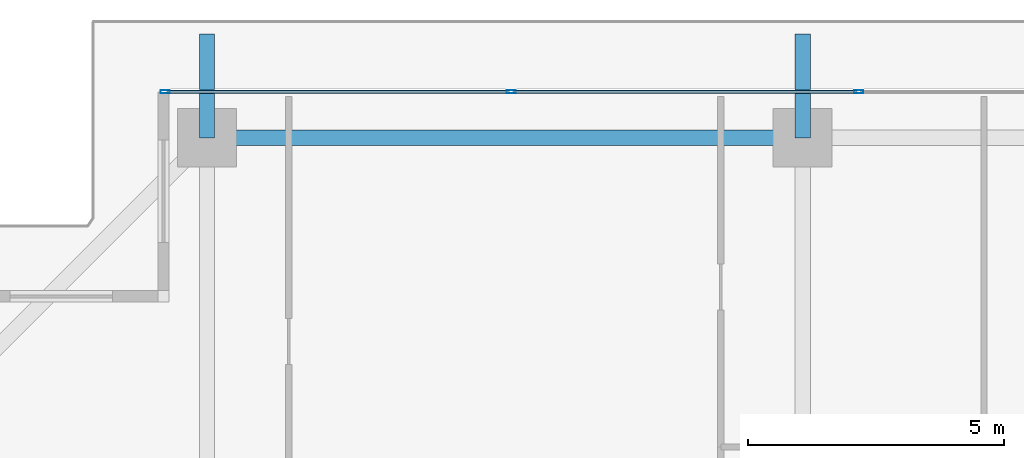
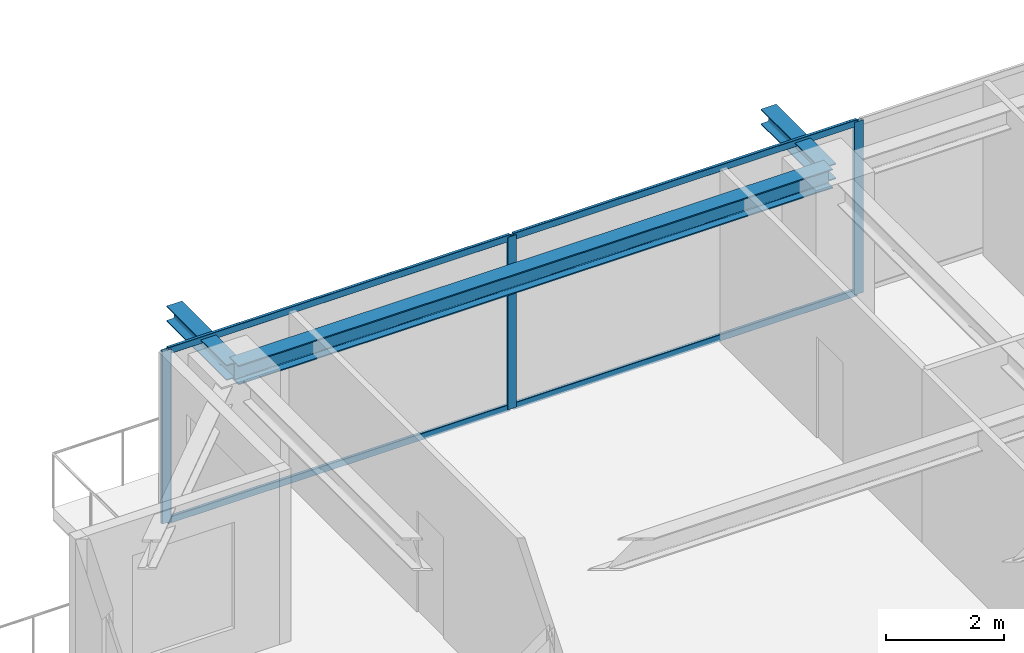
# One storey, part 19 of 36: 7 members, 3 beams, 1 element without a shape of its own.
"""IFC4 building model written with IfcOpenShell, lengths in metres."""

from ifc_helpers import new_model, si_unit, direction, frame, origin, origin_2d, place, context, subcontext, project, spatial, hollow_rectangle, i_section, extrude, source, transform, mapped, material, layer, layer_set, material_profile, profile_set, type_object, element, aggregate, save


model = new_model("IFC4")

# Units and contexts
model_context = context("Model", 3, precision=1e-05, world=origin(), true_north=direction((0.0, 1.0)))
body_context = subcontext(model_context, "Body", "Model", "MODEL_VIEW")
ifc_project = project(units=[si_unit("LENGTHUNIT", "METRE"), si_unit("AREAUNIT", "SQUARE_METRE"), si_unit("VOLUMEUNIT", "CUBIC_METRE"), si_unit("PLANEANGLEUNIT", "RADIAN"), si_unit("MASSUNIT", "GRAM", prefix="KILO")], contexts=[model_context])

# Site, building, storey
site_placement = place(None, origin())
site = spatial("IfcSite", under=ifc_project, at=site_placement, CompositionType="ELEMENT")
building_placement = place(site_placement, origin())
building = spatial("IfcBuilding", under=site, at=building_placement, Name="Serunith Strait Residences", CompositionType="ELEMENT")
storey_placement = place(building_placement, frame((0.0, 0.0, 225.85009765625)))
storey = spatial("IfcBuildingStorey", under=building, at=storey_placement, Name="L56", CompositionType="ELEMENT", Elevation=225.85009765625)

# Beams
ifc_material_1 = material(Name="Steel S355J2", Category="steel")
ifc_material_profile_1 = material_profile(ifc_material_1, i_section(OverallWidth=0.300048828125, OverallDepth=0.39990234375, WebThickness=0.013427734375, FlangeThickness=0.02392578125, FilletRadius=0.027099609375, at=origin_2d()), Name="HEB 400")
ifc_profile_set_1 = profile_set([ifc_material_profile_1], Name="Steel S355J2")
beam_type_1 = type_object("IfcBeamType", Name="BM-HEB400", PredefinedType="BEAM", material=ifc_profile_set_1)
shared_shape_1 = source(origin(), body_context, "Body", "SweptSolid", [
    extrude(i_section(OverallWidth=0.300048828125, OverallDepth=0.39990234375, WebThickness=0.013427734375, FlangeThickness=0.02392578125, FilletRadius=0.027099609375, at=origin_2d()), origin(), (0.0, 0.0, 1.0), 11.64990234375),
])
beam_placement = place(storey_placement, frame((27.89990234375, 48.300048828125, 3.386962890625), z_axis=(-1.0, 0.0, 0.0), x_axis=(0.0, -1.0, 0.0)))
element("IfcBeam", 1, at=beam_placement, inside=storey, type_object=beam_type_1, Name="L56 Perimeter Ring Beam 11", PredefinedType="BEAM", context=body_context, shape_type="MappedRepresentation", body=[
    mapped(shared_shape_1, transform((0.0, 0.0, 0.0), scale=1.0)),
])
ifc_material_profile_2 = material_profile(ifc_material_1, i_section(OverallWidth=0.300048828125, OverallDepth=0.320068359375, WebThickness=0.011474609375, FlangeThickness=0.0205078125, FilletRadius=0.027099609375, at=origin_2d()), Name="HEB 320")
ifc_profile_set_2 = profile_set([ifc_material_profile_2], Name="Steel S355J2")
beam_type_2 = type_object("IfcBeamType", Name="BM-HEB320", PredefinedType="BEAM", material=ifc_profile_set_2)
shared_shape_2 = source(origin(), body_context, "Body", "SweptSolid", [
    extrude(i_section(OverallWidth=0.300048828125, OverallDepth=0.320068359375, WebThickness=0.011474609375, FlangeThickness=0.0205078125, FilletRadius=0.027099609375, at=origin_2d()), origin(), (0.0, 0.0, 1.0), 2.030029296875),
])
for number, where, z_axis, x_axis, name in (
    (2, (16.25, 48.300048828125, 3.39697265625), (0.0, 1.0, 0.0), (-1.0, 0.0, 0.0), "L57 Cantilevered Balcony Rib TC-N1"),
    (3, (27.89990234375, 48.300048828125, 3.39697265625), (0.0, 1.0, 0.0), (-1.0, 0.0, 0.0), "L57 Cantilevered Balcony Rib TC-N2"),
):
    element("IfcBeam", number, at=place(storey_placement, frame(where, z_axis=z_axis, x_axis=x_axis)), inside=storey, type_object=beam_type_2, Name=name, PredefinedType="BEAM", context=body_context, shape_type="MappedRepresentation", body=[
        mapped(shared_shape_2, transform((0.0, 0.0, 0.0), scale=1.0)),
    ])

# Curtain wall, members
ifc_material_2 = material(Name="Pale-Champagne Anodised Aluminium", Category="aluminium")
ifc_layer = layer(ifc_material_2, 0.199951171875, Name="Pale-Champagne Anodised Aluminium")
ifc_layer_set = layer_set([ifc_layer], Name="Pale-Champagne Anodised Aluminium")
curtain_wall_type = type_object("IfcCurtainWallType", Name="CW-SYS4", PredefinedType="NOTDEFINED", material=ifc_layer_set)
curtain_wall_placement = place(storey_placement, origin())
curtain_wall = element("IfcCurtainWall", 4, at=curtain_wall_placement, inside=storey, type_object=curtain_wall_type, Name="L56 N Unitised Fritted Curtain Wall", PredefinedType="NOTDEFINED")
ifc_material_profile_3 = material_profile(ifc_material_2, hollow_rectangle(XDim=0.06494140625, YDim=0.179931640625, WallThickness=0.00341796875, InnerFilletRadius=0.00537109375, OuterFilletRadius=0.0087890625, at=origin_2d()), Name="ALU 180x65x3.5")
ifc_profile_set_3 = profile_set([ifc_material_profile_3], Name="Pale-Champagne Anodised Aluminium")
member_type_1 = type_object("IfcMemberType", Name="CW-SYS4-MULL", PredefinedType="MULLION", material=ifc_profile_set_3)
shared_shape_3 = source(origin(), body_context, "Body", "SweptSolid", [
    extrude(hollow_rectangle(XDim=0.06494140625, YDim=0.179931640625, WallThickness=0.00341796875, InnerFilletRadius=0.00537109375, OuterFilletRadius=0.0087890625, at=origin_2d()), origin(), (0.0, 0.0, 1.0), 3.574951171875),
])
member_1_placement = place(storey_placement, frame((29.0, 49.199951171875, 0.0), z_axis=(0.0, 0.0, 1.0), x_axis=(0.0, -1.0, 0.0)))
member_1 = element("IfcMember", 5, at=member_1_placement, type_object=member_type_1, Name="CW-4 mullion 4", PredefinedType="MULLION", context=body_context, shape_type="MappedRepresentation", body=[
    mapped(shared_shape_3, transform((0.0, 0.0, 0.0), scale=1.0)),
])
member_2_placement = place(storey_placement, frame((22.199951171875, 49.199951171875, 0.0), z_axis=(0.0, 0.0, 1.0), x_axis=(0.0, -1.0, 0.0)))
member_2 = element("IfcMember", 6, at=member_2_placement, type_object=member_type_1, Name="CW-4 mullion 5", PredefinedType="MULLION", context=body_context, shape_type="MappedRepresentation", body=[
    mapped(shared_shape_3, transform((0.0, 0.0, 0.0), scale=1.0)),
])
member_3_placement = place(storey_placement, frame((15.4326171875, 49.199951171875, 0.0), z_axis=(0.0, 0.0, 1.0), x_axis=(0.0, -1.0, 0.0)))
member_3 = element("IfcMember", 7, at=member_3_placement, type_object=member_type_1, Name="CW-4 mullion 6", PredefinedType="MULLION", context=body_context, shape_type="MappedRepresentation", body=[
    mapped(shared_shape_3, transform((0.0, 0.0, 0.0), scale=1.0)),
])
ifc_material_profile_4 = material_profile(ifc_material_2, hollow_rectangle(XDim=0.06005859375, YDim=0.139892578125, WallThickness=0.00341796875, InnerFilletRadius=0.00537109375, OuterFilletRadius=0.0087890625, at=origin_2d()), Name="ALU 140x60x3.5")
ifc_profile_set_4 = profile_set([ifc_material_profile_4], Name="Pale-Champagne Anodised Aluminium")
member_type_2 = type_object("IfcMemberType", Name="CW-SYS4-TRAN", PredefinedType="USERDEFINED", material=ifc_profile_set_4)
shared_shape_4 = source(origin(), body_context, "Body", "SweptSolid", [
    extrude(hollow_rectangle(XDim=0.06005859375, YDim=0.139892578125, WallThickness=0.00341796875, InnerFilletRadius=0.00537109375, OuterFilletRadius=0.0087890625, at=origin_2d()), origin(), (0.0, 0.0, 1.0), 6.702392578125),
])
member_4_placement = place(storey_placement, frame((22.16748046875, 49.199951171875, 0.02978515625), z_axis=(-1.0, 0.0, 0.0), x_axis=(0.0, -1.0, 0.0)))
member_4 = element("IfcMember", 8, at=member_4_placement, type_object=member_type_2, Name="CW-4 transom 5.1", ObjectType="TRANSOM", PredefinedType="USERDEFINED", context=body_context, shape_type="MappedRepresentation", body=[
    mapped(shared_shape_4, transform((0.0, 0.0, 0.0), scale=1.0)),
])
member_5_placement = place(storey_placement, frame((22.16748046875, 49.199951171875, 3.544921875), z_axis=(-1.0, 0.0, 0.0), x_axis=(0.0, -1.0, 0.0)))
member_5 = element("IfcMember", 9, at=member_5_placement, type_object=member_type_2, Name="CW-4 transom 5.2", ObjectType="TRANSOM", PredefinedType="USERDEFINED", context=body_context, shape_type="MappedRepresentation", body=[
    mapped(shared_shape_4, transform((0.0, 0.0, 0.0), scale=1.0)),
])
shared_shape_5 = source(origin(), body_context, "Body", "SweptSolid", [
    extrude(hollow_rectangle(XDim=0.06005859375, YDim=0.139892578125, WallThickness=0.00341796875, InnerFilletRadius=0.00537109375, OuterFilletRadius=0.0087890625, at=origin_2d()), origin(), (0.0, 0.0, 1.0), 6.735107421875),
])
member_6_placement = place(storey_placement, frame((28.967529296875, 49.199951171875, 0.02978515625), z_axis=(-1.0, 0.0, 0.0), x_axis=(0.0, -1.0, 0.0)))
member_6 = element("IfcMember", 10, at=member_6_placement, type_object=member_type_2, Name="CW-4 transom 4.1", ObjectType="TRANSOM", PredefinedType="USERDEFINED", context=body_context, shape_type="MappedRepresentation", body=[
    mapped(shared_shape_5, transform((0.0, 0.0, 0.0), scale=1.0)),
])
member_7_placement = place(storey_placement, frame((28.967529296875, 49.199951171875, 3.544921875), z_axis=(-1.0, 0.0, 0.0), x_axis=(0.0, -1.0, 0.0)))
member_7 = element("IfcMember", 11, at=member_7_placement, type_object=member_type_2, Name="CW-4 transom 4.2", ObjectType="TRANSOM", PredefinedType="USERDEFINED", context=body_context, shape_type="MappedRepresentation", body=[
    mapped(shared_shape_5, transform((0.0, 0.0, 0.0), scale=1.0)),
])
aggregate(curtain_wall, [member_1, member_2, member_3, member_6, member_7, member_4, member_5])

save(model, "model.ifc")
